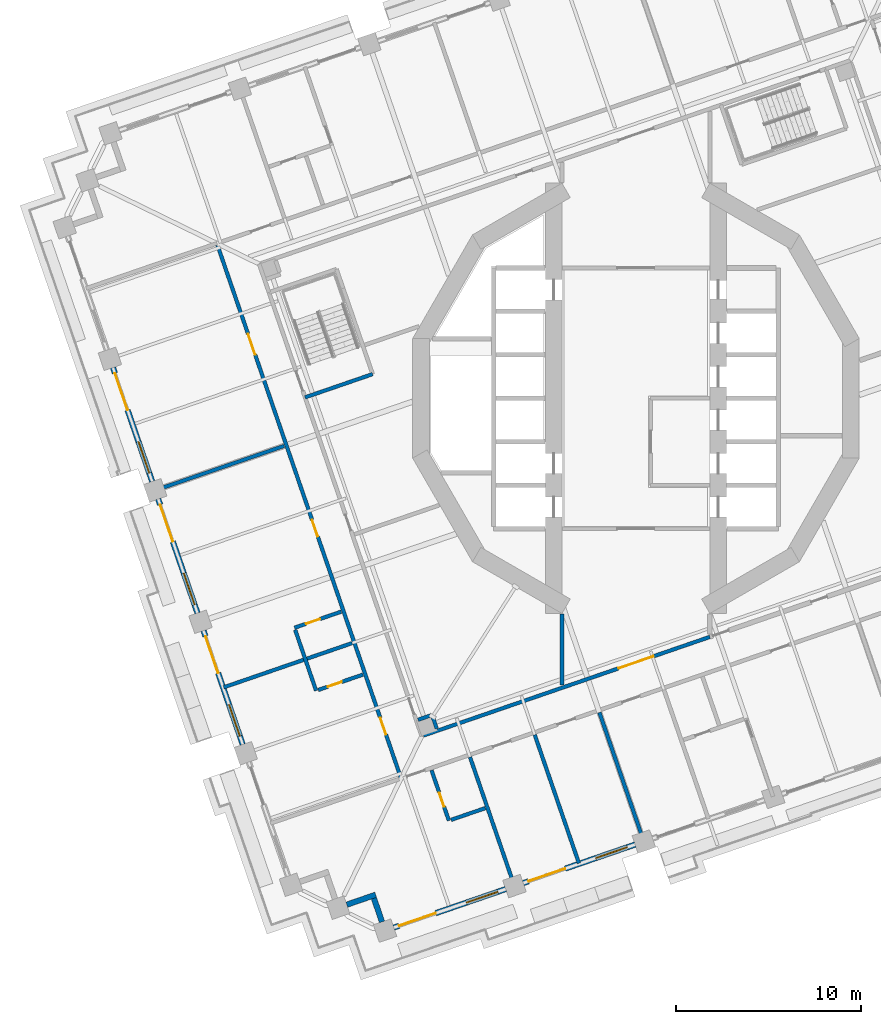
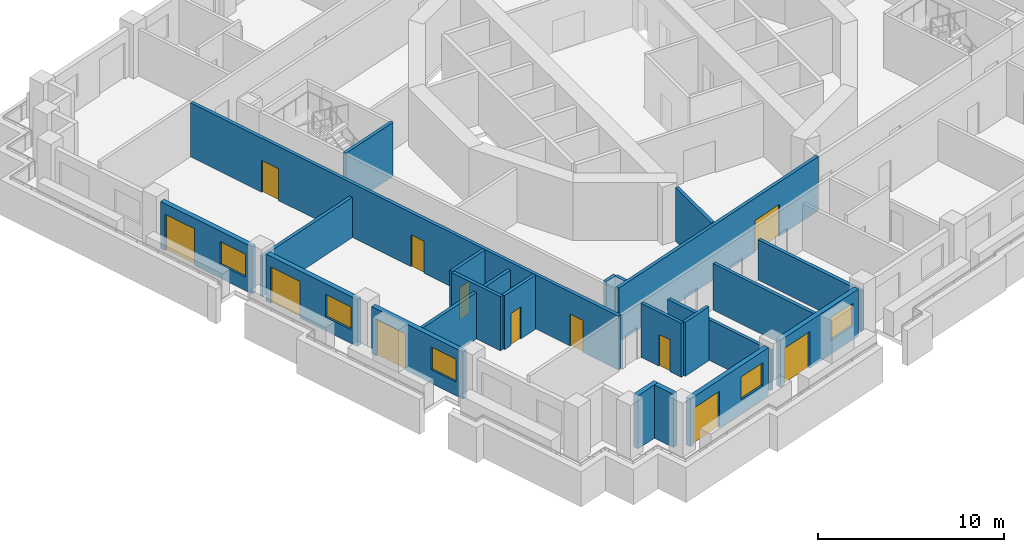
# One storey, part 4 of 19: 23 walls, 12 doors, 5 windows, 17 openings.
"""IFC4 building model written with IfcOpenShell, lengths in metres."""

from ifc_helpers import new_model, si_unit, direction, frame, frame_2d, origin, place, context, subcontext, project, spatial, rectangle, extrude, material, layer, layer_set, type_object, element, fill, save


model = new_model("IFC4")

# Units and contexts
model_context = context("Model", 3, precision=1e-05, world=origin(), true_north=direction((0.0, 1.0)))
body_context = subcontext(model_context, "Body", "Model", "MODEL_VIEW")
ifc_project = project(units=[si_unit("LENGTHUNIT", "METRE"), si_unit("AREAUNIT", "SQUARE_METRE"), si_unit("VOLUMEUNIT", "CUBIC_METRE"), si_unit("PLANEANGLEUNIT", "RADIAN"), si_unit("MASSUNIT", "GRAM", prefix="KILO")], contexts=[model_context])

# Site, building, storey
site_placement = place(None, origin())
site = spatial("IfcSite", under=ifc_project, at=site_placement, CompositionType="ELEMENT")
building_placement = place(site_placement, origin())
building = spatial("IfcBuilding", under=site, at=building_placement, Name="Cantera Rosa Tower", CompositionType="ELEMENT")
storey_placement = place(building_placement, frame((0.0, 0.0, 123.10009765625)))
storey = spatial("IfcBuildingStorey", under=building, at=storey_placement, Name="L25", CompositionType="ELEMENT", Elevation=123.10009765625)

# Wall, openings, doors
ifc_material_1 = material(Name="Gypsum board partition")
ifc_layer_1 = layer(ifc_material_1, 0.199951171875)
ifc_layer_set_1 = layer_set([ifc_layer_1], Name="CORRIDOR WALL 200 H3550")
wall_type_1 = type_object("IfcWallType", Name="CORRIDOR WALL 200 H3550", PredefinedType="PARTITIONING", material=ifc_layer_set_1)
wall_1_placement = place(storey_placement, frame((-22.6298828125, 8.28369140625, 0.0), z_axis=(0.0, 0.0, 1.0), x_axis=(0.325570542196, -0.945517753431, 0.0)))
wall_1 = element("IfcWall", 1, at=wall_1_placement, inside=storey, type_object=wall_type_1, Name="CORRIDOR WALL L25-002", PredefinedType="PARTITIONING", context=body_context, shape_type="SweptSolid", body=[
    extrude(rectangle(XDim=30.5, YDim=0.199951171875, at=frame_2d((15.25, 0.0))), origin(), (0.0, 0.0, 1.0), 3.5498046875),
])
opening_1_placement = place(wall_1_placement, frame((5.070068359375, 0.0, 0.0)))
opening_1 = element("IfcOpeningElement", 2, at=opening_1_placement, cuts=wall_1, Name="Opening L25-027", PredefinedType="OPENING", context=body_context, shape_type="SweptSolid", body=[
    extrude(rectangle(XDim=1.199951171875, YDim=2.10009765625, at=frame_2d((0.60009765625, 1.050048828125))), frame((0.0, 0.10986328125, 0.0), z_axis=(0.0, -1.0, 0.0), x_axis=(1.0, 0.0, 0.0)), (0.0, 0.0, 1.0), 0.219970703125),
])
opening_2_placement = place(wall_1_placement, frame((15.705078125, 0.0, 0.0)))
opening_2 = element("IfcOpeningElement", 3, at=opening_2_placement, cuts=wall_1, Name="Opening L25-028", PredefinedType="OPENING", context=body_context, shape_type="SweptSolid", body=[
    extrude(rectangle(XDim=0.949951171875, YDim=2.10009765625, at=frame_2d((0.47509765625, 1.050048828125))), frame((0.0, 0.10986328125, 0.0), z_axis=(0.0, -1.0, 0.0), x_axis=(1.0, 0.0, 0.0)), (0.0, 0.0, 1.0), 0.219970703125),
])
opening_3_placement = place(wall_1_placement, frame((27.034912109375, 0.0, 0.0)))
opening_3 = element("IfcOpeningElement", 4, at=opening_3_placement, cuts=wall_1, Name="Opening L25-030", PredefinedType="OPENING", context=body_context, shape_type="SweptSolid", body=[
    extrude(rectangle(XDim=0.949951171875, YDim=2.10009765625, at=frame_2d((0.47509765625, 1.050048828125))), frame((0.0, 0.10986328125, 0.0), z_axis=(0.0, -1.0, 0.0), x_axis=(1.0, 0.0, 0.0)), (0.0, 0.0, 1.0), 0.219970703125),
])
ifc_material_2 = material(Name="Timber door leaf", Category="wood")
door_type_1 = type_object("IfcDoorType", Name="ROOM DOOR 1200x2100", OperationType="NOTDEFINED", PredefinedType="DOOR", material=ifc_material_2)
door_1_placement = place(opening_1_placement, origin())
door_1 = element("IfcDoor", 5, at=door_1_placement, inside=storey, type_object=door_type_1, Name="DOOR L25-027", OperationType="NOTDEFINED", OverallHeight=2.10009765625, OverallWidth=1.199951171875, PredefinedType="DOOR", context=body_context, shape_type="SweptSolid", body=[
    extrude(rectangle(XDim=1.199951171875, YDim=2.10009765625, at=frame_2d((0.60009765625, 1.050048828125))), frame((0.0, 0.02490234375, 0.0), z_axis=(0.0, -1.0, 0.0), x_axis=(1.0, 0.0, 0.0)), (0.0, 0.0, 1.0), 0.050048828125),
])
fill(opening_1, door_1)
ifc_material_3 = material(Name="Timber door leaf", Category="wood")
door_type_2 = type_object("IfcDoorType", Name="ROOM DOOR 950x2100", OperationType="NOTDEFINED", PredefinedType="DOOR", material=ifc_material_3)
door_2_placement = place(opening_2_placement, origin())
door_2 = element("IfcDoor", 6, at=door_2_placement, inside=storey, type_object=door_type_2, Name="DOOR L25-028", OperationType="NOTDEFINED", OverallHeight=2.10009765625, OverallWidth=0.949951171875, PredefinedType="DOOR", context=body_context, shape_type="SweptSolid", body=[
    extrude(rectangle(XDim=0.949951171875, YDim=2.10009765625, at=frame_2d((0.47509765625, 1.050048828125))), frame((0.0, 0.02490234375, 0.0), z_axis=(0.0, -1.0, 0.0), x_axis=(1.0, 0.0, 0.0)), (0.0, 0.0, 1.0), 0.050048828125),
])
fill(opening_2, door_2)
door_3_placement = place(opening_3_placement, origin())
door_3 = element("IfcDoor", 7, at=door_3_placement, inside=storey, type_object=door_type_2, Name="DOOR L25-030", OperationType="NOTDEFINED", OverallHeight=2.10009765625, OverallWidth=0.949951171875, PredefinedType="DOOR", context=body_context, shape_type="SweptSolid", body=[
    extrude(rectangle(XDim=0.949951171875, YDim=2.10009765625, at=frame_2d((0.47509765625, 1.050048828125))), frame((0.0, 0.02490234375, 0.0), z_axis=(0.0, -1.0, 0.0), x_axis=(1.0, 0.0, 0.0)), (0.0, 0.0, 1.0), 0.050048828125),
])
fill(opening_3, door_3)

# Wall, opening, door
wall_2_placement = place(storey_placement, frame((-11.489501953125, -18.23388671875, 0.0), z_axis=(0.0, 0.0, 1.0), x_axis=(0.945522545762, 0.325556624039, 0.0)))
wall_2 = element("IfcWall", 8, at=wall_2_placement, inside=storey, type_object=wall_type_1, Name="CORRIDOR WALL L25-023", PredefinedType="PARTITIONING", context=body_context, shape_type="SweptSolid", body=[
    extrude(rectangle(XDim=16.3818359375, YDim=0.199951171875, at=frame_2d((8.19091796875, 0.0))), origin(), (0.0, 0.0, 1.0), 3.5498046875),
])
opening_4_placement = place(wall_2_placement, frame((11.151611328125, 0.0, 0.0)))
opening_4 = element("IfcOpeningElement", 9, at=opening_4_placement, cuts=wall_2, Name="Opening L25-011", PredefinedType="OPENING", context=body_context, shape_type="SweptSolid", body=[
    extrude(rectangle(XDim=2.0, YDim=2.10009765625, at=frame_2d((1.0, 1.050048828125))), frame((0.0, 0.10986328125, 0.0), z_axis=(0.0, -1.0, 0.0), x_axis=(1.0, 0.0, 0.0)), (0.0, 0.0, 1.0), 0.219970703125),
])
ifc_material_4 = material(Name="Steel S355J2 (EN 10025-2)", Category="steel")
door_type_3 = type_object("IfcDoorType", Name="LOBBY SCREEN DOOR 2000x2100", OperationType="NOTDEFINED", PredefinedType="DOOR", material=ifc_material_4)
door_4_placement = place(opening_4_placement, origin())
door_4 = element("IfcDoor", 10, at=door_4_placement, inside=storey, type_object=door_type_3, Name="DOOR L25-011", OperationType="NOTDEFINED", OverallHeight=2.10009765625, OverallWidth=2.0, PredefinedType="DOOR", context=body_context, shape_type="SweptSolid", body=[
    extrude(rectangle(XDim=2.0, YDim=2.10009765625, at=frame_2d((1.0, 1.050048828125))), frame((0.0, 0.02490234375, 0.0), z_axis=(0.0, -1.0, 0.0), x_axis=(1.0, 0.0, 0.0)), (0.0, 0.0, 1.0), 0.050048828125),
])
fill(opening_4, door_4)

# Walls
wall_3_placement = place(storey_placement, frame((-4.0, -11.667236328125, 0.0), z_axis=(0.0, 0.0, 1.0), x_axis=(0.0, -1.0, 0.0)))
element("IfcWall", 11, at=wall_3_placement, inside=storey, type_object=wall_type_1, Name="CORRIDOR WALL L25-042", PredefinedType="PARTITIONING", context=body_context, shape_type="SweptSolid", body=[
    extrude(rectangle(XDim=3.847900390625, YDim=0.199951171875, at=frame_2d((1.923828125, 0.0))), origin(), (0.0, 0.0, 1.0), 3.5498046875),
])
ifc_material_5 = material(Name="Hollow clay masonry with cantera stone cladding", Category="masonry")
ifc_layer_2 = layer(ifc_material_5, 0.300048828125)
ifc_layer_set_2 = layer_set([ifc_layer_2], Name="EW-LOGGIA 300")
wall_type_2 = type_object("IfcWallType", Name="EW-LOGGIA 300", PredefinedType="SOLIDWALL", material=ifc_layer_set_2)
wall_4_placement = place(storey_placement, frame((-15.636962890625, -27.3828125, 0.0), z_axis=(0.0, 0.0, 1.0), x_axis=(0.945484566827, 0.325666906351, 0.0)))
element("IfcWall", 12, at=wall_4_placement, inside=storey, type_object=wall_type_2, Name="EN-L25-W22a", PredefinedType="SOLIDWALL", context=body_context, shape_type="SweptSolid", body=[
    extrude(rectangle(XDim=1.64990234375, YDim=0.300048828125, at=frame_2d((0.824951171875, 0.0))), origin(), (0.0, 0.0, 1.0), 3.5),
])
wall_5_placement = place(storey_placement, frame((-14.169921875, -27.0361328125, 0.0), z_axis=(0.0, 0.0, 1.0), x_axis=(0.325650742363, -0.945490134268, 0.0)))
element("IfcWall", 13, at=wall_5_placement, inside=storey, type_object=wall_type_2, Name="EN-L25-W22b", PredefinedType="SOLIDWALL", context=body_context, shape_type="SweptSolid", body=[
    extrude(rectangle(XDim=1.35009765625, YDim=0.300048828125, at=frame_2d((0.675048828125, 0.0))), origin(), (0.0, 0.0, 1.0), 3.5),
])

# Wall, openings, window, door
ifc_material_6 = material(Name="Hollow clay masonry with cantera stone cladding", Category="masonry")
ifc_layer_3 = layer(ifc_material_6, 0.300048828125)
ifc_layer_set_3 = layer_set([ifc_layer_3], Name="EW-LOGGIA 300 H3090")
wall_type_3 = type_object("IfcWallType", Name="EW-LOGGIA 300 H3090", PredefinedType="SOLIDWALL", material=ifc_layer_set_3)
wall_6_placement = place(storey_placement, frame((-28.2822265625, 1.662841796875, 0.0), z_axis=(0.0, 0.0, 1.0), x_axis=(0.325580990241, -0.945514155787, 0.0)))
wall_6 = element("IfcWall", 14, at=wall_6_placement, inside=storey, type_object=wall_type_3, Name="EN-L25-W17", PredefinedType="SOLIDWALL", context=body_context, shape_type="SweptSolid", body=[
    extrude(rectangle(XDim=6.52001953125, YDim=0.300048828125, at=frame_2d((3.260009765625, 0.0))), origin(), (0.0, 0.0, 1.0), 3.08984375),
])
opening_5_placement = place(wall_6_placement, frame((0.330078125, 0.0, 0.0)))
opening_5 = element("IfcOpeningElement", 15, at=opening_5_placement, cuts=wall_6, Name="Opening L25-TD21", PredefinedType="OPENING", context=body_context, shape_type="SweptSolid", body=[
    extrude(rectangle(XDim=2.10009765625, YDim=2.39990234375, at=frame_2d((1.050048828125, 1.199951171875))), frame((0.0, 0.159912109375, 0.0), z_axis=(0.0, -1.0, 0.0), x_axis=(1.0, 0.0, 0.0)), (0.0, 0.0, 1.0), 0.320068359375),
])
opening_6_placement = place(wall_6_placement, frame((4.239990234375, 0.0, 0.89990234375)))
opening_6 = element("IfcOpeningElement", 16, at=opening_6_placement, cuts=wall_6, Name="Opening L25-W22", PredefinedType="OPENING", context=body_context, shape_type="SweptSolid", body=[
    extrude(rectangle(XDim=1.800048828125, YDim=1.5, at=frame_2d((0.89990234375, 0.75))), frame((0.0, 0.159912109375, 0.0), z_axis=(0.0, -1.0, 0.0), x_axis=(1.0, 0.0, 0.0)), (0.0, 0.0, 1.0), 0.320068359375),
])
ifc_material_7 = material(Name="Aluminium frame with clear glass", Category="aluminium")
window_type = type_object("IfcWindowType", Name="Hotel room window 1800x1500", PartitioningType="DOUBLE_PANEL_VERTICAL", PredefinedType="WINDOW", material=ifc_material_7)
window_1_placement = place(opening_6_placement, origin())
window_1 = element("IfcWindow", 17, at=window_1_placement, inside=storey, type_object=window_type, Name="WINDOW L25-W22", OverallHeight=1.5, OverallWidth=1.800048828125, PartitioningType="SINGLE_PANEL", PredefinedType="WINDOW", context=body_context, shape_type="SweptSolid", body=[
    extrude(rectangle(XDim=1.800048828125, YDim=1.5, at=frame_2d((0.89990234375, 0.75))), frame((0.0, 0.030029296875, 0.0), z_axis=(0.0, -1.0, 0.0), x_axis=(1.0, 0.0, 0.0)), (0.0, 0.0, 1.0), 0.06005859375),
])
fill(opening_6, window_1)
ifc_material_8 = material(Name="Aluminium frame with clear glass", Category="aluminium")
door_type_4 = type_object("IfcDoorType", Name="TD-H 2100x2400", OperationType="NOTDEFINED", PredefinedType="DOOR", material=ifc_material_8)
door_5_placement = place(opening_5_placement, origin())
door_5 = element("IfcDoor", 18, at=door_5_placement, inside=storey, type_object=door_type_4, Name="LOGGIA DOOR L25-TD21", OperationType="SLIDING_TO_LEFT", OverallHeight=2.39990234375, OverallWidth=2.10009765625, PredefinedType="DOOR", context=body_context, shape_type="SweptSolid", body=[
    extrude(rectangle(XDim=2.10009765625, YDim=2.39990234375, at=frame_2d((1.050048828125, 1.199951171875))), frame((0.0, 0.02490234375, 0.0), z_axis=(0.0, -1.0, 0.0), x_axis=(1.0, 0.0, 0.0)), (0.0, 0.0, 1.0), 0.050048828125),
])
fill(opening_5, door_5)

wall_7_placement = place(storey_placement, frame((-25.833984375, -5.447509765625, 0.0), z_axis=(0.0, 0.0, 1.0), x_axis=(0.325580990241, -0.945514155787, 0.0)))
wall_7 = element("IfcWall", 19, at=wall_7_placement, inside=storey, type_object=wall_type_3, Name="EN-L25-W18", PredefinedType="SOLIDWALL", context=body_context, shape_type="SweptSolid", body=[
    extrude(rectangle(XDim=6.52001953125, YDim=0.300048828125, at=frame_2d((3.260009765625, 0.0))), origin(), (0.0, 0.0, 1.0), 3.08984375),
])
opening_7_placement = place(wall_7_placement, frame((0.330078125, 0.0, 0.0)))
opening_7 = element("IfcOpeningElement", 20, at=opening_7_placement, cuts=wall_7, Name="Opening L25-TD23", PredefinedType="OPENING", context=body_context, shape_type="SweptSolid", body=[
    extrude(rectangle(XDim=2.10009765625, YDim=2.39990234375, at=frame_2d((1.050048828125, 1.199951171875))), frame((0.0, 0.159912109375, 0.0), z_axis=(0.0, -1.0, 0.0), x_axis=(1.0, 0.0, 0.0)), (0.0, 0.0, 1.0), 0.320068359375),
])
opening_8_placement = place(wall_7_placement, frame((4.239990234375, 0.0, 0.89990234375)))
opening_8 = element("IfcOpeningElement", 21, at=opening_8_placement, cuts=wall_7, Name="Opening L25-W24", PredefinedType="OPENING", context=body_context, shape_type="SweptSolid", body=[
    extrude(rectangle(XDim=1.800048828125, YDim=1.5, at=frame_2d((0.89990234375, 0.75))), frame((0.0, 0.159912109375, 0.0), z_axis=(0.0, -1.0, 0.0), x_axis=(1.0, 0.0, 0.0)), (0.0, 0.0, 1.0), 0.320068359375),
])
window_2_placement = place(opening_8_placement, origin())
window_2 = element("IfcWindow", 22, at=window_2_placement, inside=storey, type_object=window_type, Name="WINDOW L25-W24", OverallHeight=1.5, OverallWidth=1.800048828125, PartitioningType="SINGLE_PANEL", PredefinedType="WINDOW", context=body_context, shape_type="SweptSolid", body=[
    extrude(rectangle(XDim=1.800048828125, YDim=1.5, at=frame_2d((0.89990234375, 0.75))), frame((0.0, 0.030029296875, 0.0), z_axis=(0.0, -1.0, 0.0), x_axis=(1.0, 0.0, 0.0)), (0.0, 0.0, 1.0), 0.06005859375),
])
fill(opening_8, window_2)
door_6_placement = place(opening_7_placement, origin())
door_6 = element("IfcDoor", 23, at=door_6_placement, inside=storey, type_object=door_type_4, Name="LOGGIA DOOR L25-TD23", OperationType="SLIDING_TO_LEFT", OverallHeight=2.39990234375, OverallWidth=2.10009765625, PredefinedType="DOOR", context=body_context, shape_type="SweptSolid", body=[
    extrude(rectangle(XDim=2.10009765625, YDim=2.39990234375, at=frame_2d((1.050048828125, 1.199951171875))), frame((0.0, 0.02490234375, 0.0), z_axis=(0.0, -1.0, 0.0), x_axis=(1.0, 0.0, 0.0)), (0.0, 0.0, 1.0), 0.050048828125),
])
fill(opening_7, door_6)

wall_8_placement = place(storey_placement, frame((-23.3857421875, -12.557861328125, 0.0), z_axis=(0.0, 0.0, 1.0), x_axis=(0.325580990241, -0.945514155787, 0.0)))
wall_8 = element("IfcWall", 24, at=wall_8_placement, inside=storey, type_object=wall_type_3, Name="EN-L25-W19", PredefinedType="SOLIDWALL", context=body_context, shape_type="SweptSolid", body=[
    extrude(rectangle(XDim=6.52001953125, YDim=0.300048828125, at=frame_2d((3.260009765625, 0.0))), origin(), (0.0, 0.0, 1.0), 3.08984375),
])
opening_9_placement = place(wall_8_placement, frame((0.330078125, 0.0, 0.0)))
opening_9 = element("IfcOpeningElement", 25, at=opening_9_placement, cuts=wall_8, Name="Opening L25-TD25", PredefinedType="OPENING", context=body_context, shape_type="SweptSolid", body=[
    extrude(rectangle(XDim=2.10009765625, YDim=2.39990234375, at=frame_2d((1.050048828125, 1.199951171875))), frame((0.0, 0.159912109375, 0.0), z_axis=(0.0, -1.0, 0.0), x_axis=(1.0, 0.0, 0.0)), (0.0, 0.0, 1.0), 0.320068359375),
])
opening_10_placement = place(wall_8_placement, frame((4.239990234375, 0.0, 0.89990234375)))
opening_10 = element("IfcOpeningElement", 26, at=opening_10_placement, cuts=wall_8, Name="Opening L25-W26", PredefinedType="OPENING", context=body_context, shape_type="SweptSolid", body=[
    extrude(rectangle(XDim=1.800048828125, YDim=1.5, at=frame_2d((0.89990234375, 0.75))), frame((0.0, 0.159912109375, 0.0), z_axis=(0.0, -1.0, 0.0), x_axis=(1.0, 0.0, 0.0)), (0.0, 0.0, 1.0), 0.320068359375),
])
window_3_placement = place(opening_10_placement, origin())
window_3 = element("IfcWindow", 27, at=window_3_placement, inside=storey, type_object=window_type, Name="WINDOW L25-W26", OverallHeight=1.5, OverallWidth=1.800048828125, PartitioningType="SINGLE_PANEL", PredefinedType="WINDOW", context=body_context, shape_type="SweptSolid", body=[
    extrude(rectangle(XDim=1.800048828125, YDim=1.5, at=frame_2d((0.89990234375, 0.75))), frame((0.0, 0.030029296875, 0.0), z_axis=(0.0, -1.0, 0.0), x_axis=(1.0, 0.0, 0.0)), (0.0, 0.0, 1.0), 0.06005859375),
])
fill(opening_10, window_3)
door_7_placement = place(opening_9_placement, origin())
door_7 = element("IfcDoor", 28, at=door_7_placement, inside=storey, type_object=door_type_4, Name="LOGGIA DOOR L25-TD25", OperationType="SLIDING_TO_LEFT", OverallHeight=2.39990234375, OverallWidth=2.10009765625, PredefinedType="DOOR", context=body_context, shape_type="SweptSolid", body=[
    extrude(rectangle(XDim=2.10009765625, YDim=2.39990234375, at=frame_2d((1.050048828125, 1.199951171875))), frame((0.0, 0.02490234375, 0.0), z_axis=(0.0, -1.0, 0.0), x_axis=(1.0, 0.0, 0.0)), (0.0, 0.0, 1.0), 0.050048828125),
])
fill(opening_9, door_7)

wall_9_placement = place(storey_placement, frame((-6.097900390625, -26.21337890625, 0.0), z_axis=(0.0, 0.0, 1.0), x_axis=(0.945524496524, 0.325550958337, 0.0)))
wall_9 = element("IfcWall", 29, at=wall_9_placement, inside=storey, type_object=wall_type_3, Name="EN-L25-W24", PredefinedType="SOLIDWALL", context=body_context, shape_type="SweptSolid", body=[
    extrude(rectangle(XDim=6.39990234375, YDim=0.300048828125, at=frame_2d((3.199951171875, 0.0))), origin(), (0.0, 0.0, 1.0), 3.08984375),
])
opening_11_placement = place(wall_9_placement, frame((0.300048828125, 0.0, 0.0)))
opening_11 = element("IfcOpeningElement", 30, at=opening_11_placement, cuts=wall_9, Name="Opening L25-TD31", PredefinedType="OPENING", context=body_context, shape_type="SweptSolid", body=[
    extrude(rectangle(XDim=2.10009765625, YDim=2.39990234375, at=frame_2d((1.050048828125, 1.199951171875))), frame((0.0, 0.159912109375, 0.0), z_axis=(0.0, -1.0, 0.0), x_axis=(1.0, 0.0, 0.0)), (0.0, 0.0, 1.0), 0.320068359375),
])
opening_12_placement = place(wall_9_placement, frame((4.14990234375, 0.0, 0.89990234375)))
opening_12 = element("IfcOpeningElement", 31, at=opening_12_placement, cuts=wall_9, Name="Opening L25-W32", PredefinedType="OPENING", context=body_context, shape_type="SweptSolid", body=[
    extrude(rectangle(XDim=1.800048828125, YDim=1.5, at=frame_2d((0.89990234375, 0.75))), frame((0.0, 0.159912109375, 0.0), z_axis=(0.0, -1.0, 0.0), x_axis=(1.0, 0.0, 0.0)), (0.0, 0.0, 1.0), 0.320068359375),
])
window_4_placement = place(opening_12_placement, origin())
window_4 = element("IfcWindow", 32, at=window_4_placement, inside=storey, type_object=window_type, Name="WINDOW L25-W32", OverallHeight=1.5, OverallWidth=1.800048828125, PartitioningType="SINGLE_PANEL", PredefinedType="WINDOW", context=body_context, shape_type="SweptSolid", body=[
    extrude(rectangle(XDim=1.800048828125, YDim=1.5, at=frame_2d((0.89990234375, 0.75))), frame((0.0, 0.030029296875, 0.0), z_axis=(0.0, -1.0, 0.0), x_axis=(1.0, 0.0, 0.0)), (0.0, 0.0, 1.0), 0.06005859375),
])
fill(opening_12, window_4)
door_8_placement = place(opening_11_placement, origin())
door_8 = element("IfcDoor", 33, at=door_8_placement, inside=storey, type_object=door_type_4, Name="LOGGIA DOOR L25-TD31", OperationType="SLIDING_TO_LEFT", OverallHeight=2.39990234375, OverallWidth=2.10009765625, PredefinedType="DOOR", context=body_context, shape_type="SweptSolid", body=[
    extrude(rectangle(XDim=2.10009765625, YDim=2.39990234375, at=frame_2d((1.050048828125, 1.199951171875))), frame((0.0, 0.02490234375, 0.0), z_axis=(0.0, -1.0, 0.0), x_axis=(1.0, 0.0, 0.0)), (0.0, 0.0, 1.0), 0.050048828125),
])
fill(opening_11, door_8)

ifc_material_9 = material(Name="Hollow clay masonry with cantera stone cladding", Category="masonry")
ifc_layer_4 = layer(ifc_material_9, 0.300048828125)
ifc_layer_set_4 = layer_set([ifc_layer_4], Name="EW-LOGGIA 300 H3140")
wall_type_4 = type_object("IfcWallType", Name="EW-LOGGIA 300 H3140", PredefinedType="SOLIDWALL", material=ifc_layer_set_4)
wall_10_placement = place(storey_placement, frame((-13.0947265625, -28.62255859375, 0.0), z_axis=(0.0, 0.0, 1.0), x_axis=(0.945524496524, 0.325550958337, 0.0)))
wall_10 = element("IfcWall", 34, at=wall_10_placement, inside=storey, type_object=wall_type_4, Name="EN-L25-W23", PredefinedType="SOLIDWALL", context=body_context, shape_type="SweptSolid", body=[
    extrude(rectangle(XDim=6.39990234375, YDim=0.300048828125, at=frame_2d((3.199951171875, 0.0))), origin(), (0.0, 0.0, 1.0), 3.139892578125),
])
opening_13_placement = place(wall_10_placement, frame((0.300048828125, 0.0, 0.0)))
opening_13 = element("IfcOpeningElement", 35, at=opening_13_placement, cuts=wall_10, Name="Opening L25-TD29", PredefinedType="OPENING", context=body_context, shape_type="SweptSolid", body=[
    extrude(rectangle(XDim=2.10009765625, YDim=2.39990234375, at=frame_2d((1.050048828125, 1.199951171875))), frame((0.0, 0.159912109375, 0.0), z_axis=(0.0, -1.0, 0.0), x_axis=(1.0, 0.0, 0.0)), (0.0, 0.0, 1.0), 0.320068359375),
])
opening_14_placement = place(wall_10_placement, frame((4.14990234375, 0.0, 0.89990234375)))
opening_14 = element("IfcOpeningElement", 36, at=opening_14_placement, cuts=wall_10, Name="Opening L25-W30", PredefinedType="OPENING", context=body_context, shape_type="SweptSolid", body=[
    extrude(rectangle(XDim=1.800048828125, YDim=1.5, at=frame_2d((0.89990234375, 0.75))), frame((0.0, 0.159912109375, 0.0), z_axis=(0.0, -1.0, 0.0), x_axis=(1.0, 0.0, 0.0)), (0.0, 0.0, 1.0), 0.320068359375),
])
window_5_placement = place(opening_14_placement, origin())
window_5 = element("IfcWindow", 37, at=window_5_placement, inside=storey, type_object=window_type, Name="WINDOW L25-W30", OverallHeight=1.5, OverallWidth=1.800048828125, PartitioningType="SINGLE_PANEL", PredefinedType="WINDOW", context=body_context, shape_type="SweptSolid", body=[
    extrude(rectangle(XDim=1.800048828125, YDim=1.5, at=frame_2d((0.89990234375, 0.75))), frame((0.0, 0.030029296875, 0.0), z_axis=(0.0, -1.0, 0.0), x_axis=(1.0, 0.0, 0.0)), (0.0, 0.0, 1.0), 0.06005859375),
])
fill(opening_14, window_5)
door_9_placement = place(opening_13_placement, origin())
door_9 = element("IfcDoor", 38, at=door_9_placement, inside=storey, type_object=door_type_4, Name="LOGGIA DOOR L25-TD29", OperationType="SLIDING_TO_LEFT", OverallHeight=2.39990234375, OverallWidth=2.10009765625, PredefinedType="DOOR", context=body_context, shape_type="SweptSolid", body=[
    extrude(rectangle(XDim=2.10009765625, YDim=2.39990234375, at=frame_2d((1.050048828125, 1.199951171875))), frame((0.0, 0.02490234375, 0.0), z_axis=(0.0, -1.0, 0.0), x_axis=(1.0, 0.0, 0.0)), (0.0, 0.0, 1.0), 0.050048828125),
])
fill(opening_13, door_9)

# Walls
ifc_material_10 = material(Name="Gypsum board partition")
ifc_layer_5 = layer(ifc_material_10, 0.199951171875)
ifc_layer_set_5 = layer_set([ifc_layer_5], Name="PARTITION 200 H2650")
wall_type_5 = type_object("IfcWallType", Name="PARTITION 200 H2650", PredefinedType="PARTITIONING", material=ifc_layer_set_5)
wall_11_placement = place(storey_placement, frame((-1.9765625, -16.989013671875, 0.0), z_axis=(0.0, 0.0, 1.0), x_axis=(0.325549451152, -0.945525015457, 0.0)))
element("IfcWall", 39, at=wall_11_placement, inside=storey, type_object=wall_type_5, Name="PARTITION L25-045", PredefinedType="PARTITIONING", context=body_context, shape_type="SweptSolid", body=[
    extrude(rectangle(XDim=7.35009765625, YDim=0.199951171875, at=frame_2d((3.675048828125, 0.0))), origin(), (0.0, 0.0, 1.0), 2.64990234375),
])
ifc_material_11 = material(Name="Gypsum board partition")
ifc_layer_6 = layer(ifc_material_11, 0.199951171875)
ifc_layer_set_6 = layer_set([ifc_layer_6], Name="PARTITION 200 H3050")
wall_type_6 = type_object("IfcWallType", Name="PARTITION 200 H3050", PredefinedType="PARTITIONING", material=ifc_layer_set_6)
wall_12_placement = place(storey_placement, frame((-5.47509765625, -18.193603515625, 0.0), z_axis=(0.0, 0.0, 1.0), x_axis=(0.325579146306, -0.945514790731, 0.0)))
element("IfcWall", 40, at=wall_12_placement, inside=storey, type_object=wall_type_6, Name="PARTITION L25-040", PredefinedType="PARTITIONING", context=body_context, shape_type="SweptSolid", body=[
    extrude(rectangle(XDim=7.35009765625, YDim=0.199951171875, at=frame_2d((3.675048828125, 0.0))), origin(), (0.0, 0.0, 1.0), 3.0498046875),
])

# Wall, opening, door
ifc_material_12 = material(Name="Gypsum board partition")
ifc_layer_7 = layer(ifc_material_12, 0.199951171875)
ifc_layer_set_7 = layer_set([ifc_layer_7], Name="PARTITION 200 H3550")
wall_type_7 = type_object("IfcWallType", Name="PARTITION 200 H3550", PredefinedType="PARTITIONING", material=ifc_layer_set_7)
wall_13_placement = place(storey_placement, frame((-18.46630859375, -12.408203125, 0.0), z_axis=(0.0, 0.0, 1.0), x_axis=(0.94551230217, 0.325586373249, 0.0)))
wall_13 = element("IfcWall", 41, at=wall_13_placement, inside=storey, type_object=wall_type_7, Name="PARTITION L25-010", PredefinedType="PARTITIONING", context=body_context, shape_type="SweptSolid", body=[
    extrude(rectangle(XDim=2.679931640625, YDim=0.199951171875, at=frame_2d((1.33984375, 0.0))), origin(), (0.0, 0.0, 1.0), 3.5498046875),
])
opening_15_placement = place(wall_13_placement, frame((0.6640625, 0.0, 0.0)))
opening_15 = element("IfcOpeningElement", 42, at=opening_15_placement, cuts=wall_13, Name="Opening L25-029", PredefinedType="OPENING", context=body_context, shape_type="SweptSolid", body=[
    extrude(rectangle(XDim=0.800048828125, YDim=2.10009765625, at=frame_2d((0.39990234375, 1.050048828125))), frame((0.0, 0.10986328125, 0.0), z_axis=(0.0, -1.0, 0.0), x_axis=(1.0, 0.0, 0.0)), (0.0, 0.0, 1.0), 0.219970703125),
])
ifc_material_13 = material(Name="Timber door leaf", Category="wood")
door_type_5 = type_object("IfcDoorType", Name="BATHROOM DOOR 800x2100", OperationType="NOTDEFINED", PredefinedType="DOOR", material=ifc_material_13)
door_10_placement = place(opening_15_placement, origin())
door_10 = element("IfcDoor", 43, at=door_10_placement, inside=storey, type_object=door_type_5, Name="DOOR L25-029", OperationType="NOTDEFINED", OverallHeight=2.10009765625, OverallWidth=0.800048828125, PredefinedType="DOOR", context=body_context, shape_type="SweptSolid", body=[
    extrude(rectangle(XDim=0.800048828125, YDim=2.10009765625, at=frame_2d((0.39990234375, 1.050048828125))), frame((0.0, 0.02490234375, 0.0), z_axis=(0.0, -1.0, 0.0), x_axis=(1.0, 0.0, 0.0)), (0.0, 0.0, 1.0), 0.050048828125),
])
fill(opening_15, door_10)

# Wall
wall_14_placement = place(storey_placement, frame((-17.29443359375, -15.81201171875, 0.0), z_axis=(0.0, 0.0, 1.0), x_axis=(-0.325514995811, 0.945536877918, 0.0)))
element("IfcWall", 44, at=wall_14_placement, inside=storey, type_object=wall_type_7, Name="PARTITION L25-015", PredefinedType="PARTITIONING", context=body_context, shape_type="SweptSolid", body=[
    extrude(rectangle(XDim=3.47998046875, YDim=0.199951171875, at=frame_2d((1.739990234375, 0.0))), origin(), (0.0, 0.0, 1.0), 3.5498046875),
])

# Wall, opening, door
wall_15_placement = place(storey_placement, frame((-14.760498046875, -14.939453125, 0.0), z_axis=(0.0, 0.0, 1.0), x_axis=(-0.9455087096, -0.325596805989, 0.0)))
wall_15 = element("IfcWall", 45, at=wall_15_placement, inside=storey, type_object=wall_type_7, Name="PARTITION L25-019", PredefinedType="PARTITIONING", context=body_context, shape_type="SweptSolid", body=[
    extrude(rectangle(XDim=2.559814453125, YDim=0.199951171875, at=frame_2d((1.27978515625, 0.0))), origin(), (0.0, 0.0, 1.0), 3.5498046875),
])
opening_16_placement = place(wall_15_placement, frame((1.216064453125, 0.0, 0.0)))
opening_16 = element("IfcOpeningElement", 46, at=opening_16_placement, cuts=wall_15, Name="Opening L25-031", PredefinedType="OPENING", context=body_context, shape_type="SweptSolid", body=[
    extrude(rectangle(XDim=0.800048828125, YDim=2.10009765625, at=frame_2d((0.39990234375, 1.050048828125))), frame((0.0, 0.10986328125, 0.0), z_axis=(0.0, -1.0, 0.0), x_axis=(1.0, 0.0, 0.0)), (0.0, 0.0, 1.0), 0.219970703125),
])
door_11_placement = place(opening_16_placement, origin())
door_11 = element("IfcDoor", 47, at=door_11_placement, inside=storey, type_object=door_type_5, Name="DOOR L25-031", OperationType="NOTDEFINED", OverallHeight=2.10009765625, OverallWidth=0.800048828125, PredefinedType="DOOR", context=body_context, shape_type="SweptSolid", body=[
    extrude(rectangle(XDim=0.800048828125, YDim=2.10009765625, at=frame_2d((0.39990234375, 1.050048828125))), frame((0.0, 0.02490234375, 0.0), z_axis=(0.0, -1.0, 0.0), x_axis=(1.0, 0.0, 0.0)), (0.0, 0.0, 1.0), 0.050048828125),
])
fill(opening_16, door_11)

# Walls
wall_16_placement = place(storey_placement, frame((-11.026123046875, -17.12255859375, 0.0), z_axis=(0.0, 0.0, 1.0), x_axis=(-0.945525269499, -0.325548713312, 0.0)))
element("IfcWall", 48, at=wall_16_placement, inside=storey, type_object=wall_type_7, Name="PARTITION L25-024", PredefinedType="PARTITIONING", context=body_context, shape_type="SweptSolid", body=[
    extrude(rectangle(XDim=0.80029296875, YDim=0.199951171875, at=frame_2d((0.400146484375, 0.0))), origin(), (0.0, 0.0, 1.0), 3.5498046875),
])
wall_17_placement = place(storey_placement, frame((-10.772216796875, -17.860107421875, 0.0), z_axis=(0.0, 0.0, 1.0), x_axis=(-0.325691873105, 0.945475966798, 0.0)))
element("IfcWall", 49, at=wall_17_placement, inside=storey, type_object=wall_type_7, Name="PARTITION L25-027", PredefinedType="PARTITIONING", context=body_context, shape_type="SweptSolid", body=[
    extrude(rectangle(XDim=0.679931640625, YDim=0.199951171875, at=frame_2d((0.33984375, 0.0))), origin(), (0.0, 0.0, 1.0), 3.5498046875),
])

# Wall, opening, door
wall_18_placement = place(storey_placement, frame((-10.115966796875, -22.837646484375, 0.0), z_axis=(0.0, 0.0, 1.0), x_axis=(-0.325596179186, 0.945508925447, 0.0)))
wall_18 = element("IfcWall", 50, at=wall_18_placement, inside=storey, type_object=wall_type_7, Name="PARTITION L25-030", PredefinedType="PARTITIONING", context=body_context, shape_type="SweptSolid", body=[
    extrude(rectangle(XDim=2.880126953125, YDim=0.199951171875, at=frame_2d((1.43994140625, 0.0))), origin(), (0.0, 0.0, 1.0), 3.5498046875),
])
opening_17_placement = place(wall_18_placement, frame((0.800048828125, 0.0, 0.0)))
opening_17 = element("IfcOpeningElement", 51, at=opening_17_placement, cuts=wall_18, Name="Opening L25-041", PredefinedType="OPENING", context=body_context, shape_type="SweptSolid", body=[
    extrude(rectangle(XDim=0.800048828125, YDim=2.10009765625, at=frame_2d((0.39990234375, 1.050048828125))), frame((0.0, 0.10986328125, 0.0), z_axis=(0.0, -1.0, 0.0), x_axis=(1.0, 0.0, 0.0)), (0.0, 0.0, 1.0), 0.219970703125),
])
door_12_placement = place(opening_17_placement, origin())
door_12 = element("IfcDoor", 52, at=door_12_placement, inside=storey, type_object=door_type_5, Name="DOOR L25-041", OperationType="NOTDEFINED", OverallHeight=2.10009765625, OverallWidth=0.800048828125, PredefinedType="DOOR", context=body_context, shape_type="SweptSolid", body=[
    extrude(rectangle(XDim=0.800048828125, YDim=2.10009765625, at=frame_2d((0.39990234375, 1.050048828125))), frame((0.0, 0.02490234375, 0.0), z_axis=(0.0, -1.0, 0.0), x_axis=(1.0, 0.0, 0.0)), (0.0, 0.0, 1.0), 0.050048828125),
])
fill(opening_17, door_12)

# Walls
wall_19_placement = place(storey_placement, frame((-8.149169921875, -22.160400390625, 0.0), z_axis=(0.0, 0.0, 1.0), x_axis=(-0.945510558394, -0.325591437181, 0.0)))
element("IfcWall", 53, at=wall_19_placement, inside=storey, type_object=wall_type_7, Name="PARTITION L25-031", PredefinedType="PARTITIONING", context=body_context, shape_type="SweptSolid", body=[
    extrude(rectangle(XDim=1.9599609375, YDim=0.199951171875, at=frame_2d((0.97998046875, 0.0))), origin(), (0.0, 0.0, 1.0), 3.5498046875),
])
ifc_material_14 = material(Name="Gypsum board partition")
ifc_layer_8 = layer(ifc_material_14, 0.199951171875)
ifc_layer_set_8 = layer_set([ifc_layer_8], Name="PARTY WALL 200 H2650")
wall_type_8 = type_object("IfcWallType", Name="PARTY WALL 200 H2650", PredefinedType="PARTITIONING", material=ifc_layer_set_8)
for number, where, z_axis, x_axis, name in (
    (54, (-19.018798828125, -2.572021484375, 0.0), (0.0, 0.0, 1.0), (-0.945514790731, -0.325579146306, 0.0), "PARTY WALL L25-009"),
    (55, (-6.58056640625, -26.347900390625, 0.0), (0.0, 0.0, 1.0), (-0.325549451152, 0.945525015457, 0.0), "PARTY WALL L25-039"),
):
    element("IfcWall", number, at=place(storey_placement, frame(where, z_axis=z_axis, x_axis=x_axis)), inside=storey, type_object=wall_type_8, Name=name, PredefinedType="PARTITIONING", context=body_context, shape_type="SweptSolid", body=[
        extrude(rectangle(XDim=7.35009765625, YDim=0.199951171875, at=frame_2d((3.675048828125, 0.0))), origin(), (0.0, 0.0, 1.0), 2.64990234375),
    ])
ifc_material_15 = material(Name="Gypsum board partition")
ifc_layer_9 = layer(ifc_material_15, 0.199951171875)
ifc_layer_set_9 = layer_set([ifc_layer_9], Name="PARTY WALL 200 H3050")
wall_type_9 = type_object("IfcWallType", Name="PARTY WALL 200 H3050", PredefinedType="PARTITIONING", material=ifc_layer_set_9)
wall_20_placement = place(storey_placement, frame((-15.346435546875, -13.237548828125, 0.0), z_axis=(0.0, 0.0, 1.0), x_axis=(-0.945521494984, -0.325559675824, 0.0)))
element("IfcWall", 56, at=wall_20_placement, inside=storey, type_object=wall_type_9, Name="PARTY WALL L25-018", PredefinedType="PARTITIONING", context=body_context, shape_type="SweptSolid", body=[
    extrude(rectangle(XDim=7.349853515625, YDim=0.199951171875, at=frame_2d((3.6748046875, 0.0))), origin(), (0.0, 0.0, 1.0), 3.0498046875),
])
ifc_material_16 = material(Name="Concrete C50/60", Category="concrete")
ifc_layer_10 = layer(ifc_material_16, 0.199951171875)
ifc_layer_set_10 = layer_set([ifc_layer_10], Name="STAIR WALL 200 H3550")
wall_type_10 = type_object("IfcWallType", Name="STAIR WALL 200 H3550", PredefinedType="SOLIDWALL", material=ifc_layer_set_10)
wall_21_placement = place(storey_placement, frame((-17.8916015625, 0.05126953125, 0.0), z_axis=(0.0, 0.0, 1.0), x_axis=(0.945514621213, 0.325579638603, 0.0)))
element("IfcWall", 57, at=wall_21_placement, inside=storey, type_object=wall_type_10, Name="STAIR WALL L25-012", PredefinedType="SOLIDWALL", context=body_context, shape_type="SweptSolid", body=[
    extrude(rectangle(XDim=3.862548828125, YDim=0.199951171875, at=frame_2d((1.93115234375, 0.0))), origin(), (0.0, 0.0, 1.0), 3.5498046875),
])

save(model, "model.ifc")
